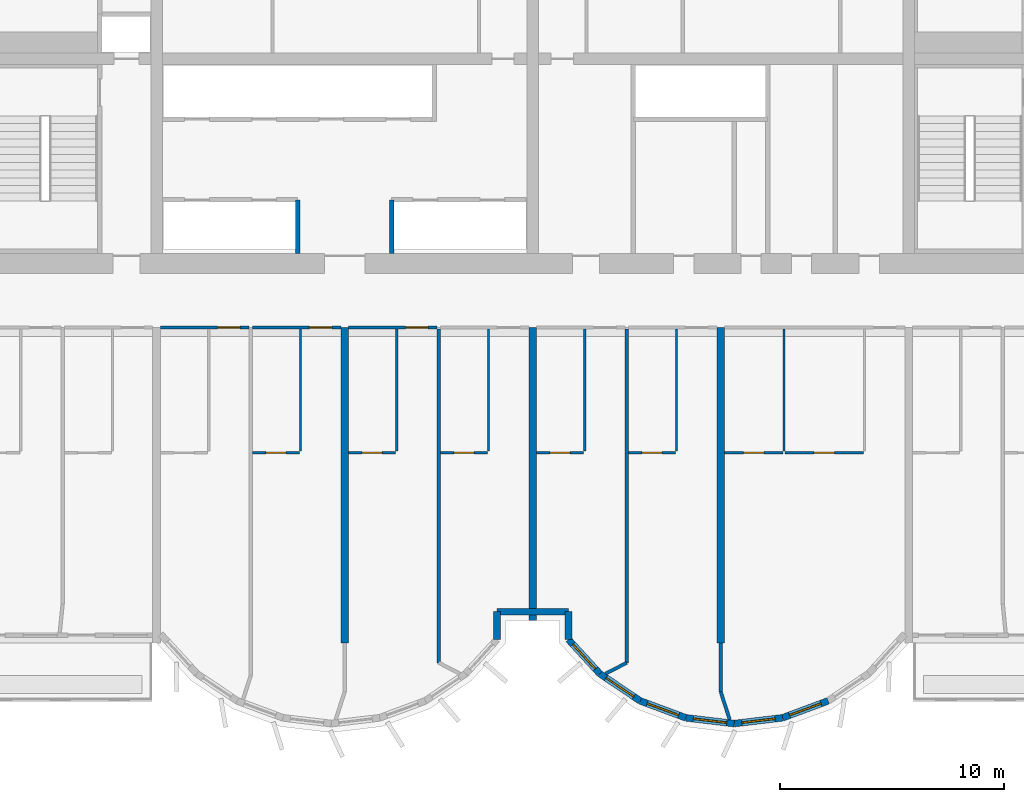
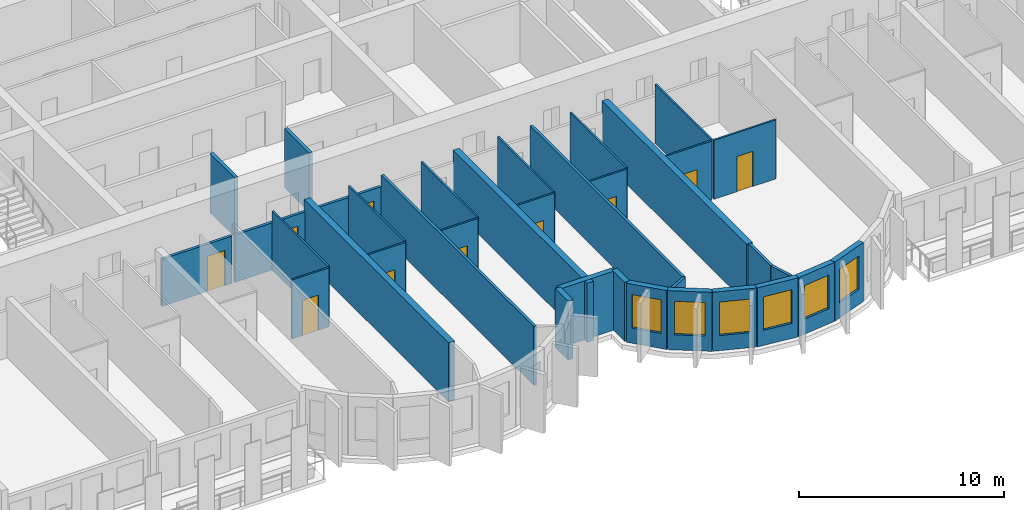
# One storey, part 5 of 15: 35 walls, 10 doors, 6 windows, 16 openings.
"""IFC4 building model written with IfcOpenShell, lengths in metres."""

import ifcopenshell
import ifcopenshell.guid

model = None  # the IFC model being written
_history = None  # IfcOwnerHistory: only IFC2X3 demands one
_inside = {}  # id of a spatial element -> (the spatial element, [elements in it])
_under = {}  # id of a project, library or spatial element -> (it, [spatial elements below it])
_declared = {}  # id of a project -> (the project, [libraries it declares])
_typed = {}  # id of a type object -> (the type object, [elements of that type])
_made_of = {}  # id of a material, layer set ... -> (it, [elements and type objects made of it])


def new_model(schema):
    """Start an empty IFC model of exactly this schema.

    Asked for "IFC4X3", IfcOpenShell would pick the latest addendum, in which some entities
    have other attributes; the version numbers below select the first issue.
    IFC2X3 requires an IfcOwnerHistory on every rooted entity: one is made here for all.
    """
    global model, _history
    if schema == "IFC4X3":
        model = ifcopenshell.file(schema_version=(4, 3, 0, 0))
    else:
        model = ifcopenshell.file(schema=schema)
    _inside.clear()
    _under.clear()
    _declared.clear()
    _typed.clear()
    _made_of.clear()
    _history = None
    if model.schema == "IFC2X3":
        org = make("IfcOrganization", Name="unknown")
        user = make(
            "IfcPersonAndOrganization",
            ThePerson=make("IfcPerson", FamilyName="unknown"),
            TheOrganization=org,
        )
        app = make(
            "IfcApplication",
            ApplicationDeveloper=org,
            Version="unknown",
            ApplicationFullName="unknown",
            ApplicationIdentifier="unknown",
        )
        _history = make(
            "IfcOwnerHistory",
            OwningUser=user,
            OwningApplication=app,
            ChangeAction="ADDED",
            CreationDate=0,
        )
    return model


def make(cls, **values):
    """One entity of the class cls with the attributes given. An attribute that is None is left unset."""
    return model.create_entity(
        cls, **{name: value for name, value in values.items() if value is not None}
    )


def rooted(cls, **values):
    """An entity with a GlobalId (a new one), such as an element, a storey or a relation."""
    return make(cls, GlobalId=ifcopenshell.guid.new(), OwnerHistory=_history, **values)


def si_unit(unit_type, name, prefix=None):
    """IfcSIUnit, for example si_unit("LENGTHUNIT", "METRE", prefix="MILLI")."""
    return make("IfcSIUnit", UnitType=unit_type, Prefix=prefix, Name=name)


def assignment(units):
    """IfcUnitAssignment: the units of a project."""
    return None if units is None else make("IfcUnitAssignment", Units=units)


def point(xyz):
    """IfcCartesianPoint."""
    return None if xyz is None else make("IfcCartesianPoint", Coordinates=xyz)


def direction(xyz):
    """IfcDirection."""
    return None if xyz is None else make("IfcDirection", DirectionRatios=xyz)


def frame(location, z_axis=None, x_axis=None):
    """IfcAxis2Placement3D, a coordinate frame: its origin and axes. An axis left out is left unset."""
    return make(
        "IfcAxis2Placement3D",
        Location=point(location),
        Axis=direction(z_axis),
        RefDirection=direction(x_axis),
    )


def frame_2d(location, x_axis=None):
    """IfcAxis2Placement2D, a coordinate frame in the plane: its origin and x axis."""
    return make(
        "IfcAxis2Placement2D", Location=point(location), RefDirection=direction(x_axis)
    )


def origin():
    """The frame at (0, 0, 0) with its axes left unset."""
    return frame((0.0, 0.0, 0.0))


def place(relative_to, where):
    """IfcLocalPlacement: puts the frame where relative to a parent placement (None: the world)."""
    return make(
        "IfcLocalPlacement", PlacementRelTo=relative_to, RelativePlacement=where
    )


def context(
    kind, dimensions, precision=None, world=None, true_north=None, identifier=None
):
    """IfcGeometricRepresentationContext, for example the 3D "Model" context."""
    return make(
        "IfcGeometricRepresentationContext",
        ContextIdentifier=identifier,
        ContextType=kind,
        CoordinateSpaceDimension=dimensions,
        Precision=precision,
        WorldCoordinateSystem=world,
        TrueNorth=true_north,
    )


def subcontext(parent, identifier, kind, view, scale=None):
    """IfcGeometricRepresentationSubContext, for example "Body" below "Model"."""
    return make(
        "IfcGeometricRepresentationSubContext",
        ContextIdentifier=identifier,
        ContextType=kind,
        ParentContext=parent,
        TargetScale=scale,
        TargetView=view,
    )


def project(units=None, contexts=None):
    """IfcProject with its units and contexts."""
    return rooted(
        "IfcProject",
        Name="project",
        RepresentationContexts=contexts,
        UnitsInContext=assignment(units),
    )


def spatial(cls, under=None, at=None, **own):
    """A site, building, storey or space (cls), placed at a placement, below another one or the project."""
    s = rooted(cls, ObjectPlacement=at, **own)
    if under is not None:
        _under.setdefault(under.id(), (under, []))[1].append(s)
    return s


def profile(cls, at=None, kind="AREA", **sizes):
    """A parametric profile (cls). Its sizes go by their IFC names, for example OverallWidth=200.0."""
    return make(cls, ProfileType=kind, Position=at, **sizes)


def rectangle(**sizes):
    """IfcRectangleProfileDef."""
    return profile("IfcRectangleProfileDef", **sizes)


def extrude(swept, where, along, depth):
    """IfcExtrudedAreaSolid: the profile swept, set in the frame where, extruded along a direction by depth."""
    return make(
        "IfcExtrudedAreaSolid",
        SweptArea=swept,
        Position=where,
        ExtrudedDirection=direction(along),
        Depth=depth,
    )


def shape(context_of_items, identifier, shape_type, items):
    """IfcShapeRepresentation: the items that make up one representation, for example the "Body"."""
    return make(
        "IfcShapeRepresentation",
        ContextOfItems=context_of_items,
        RepresentationIdentifier=identifier,
        RepresentationType=shape_type,
        Items=items,
    )


def source(mapping_origin, context_of_items, identifier, shape_type, items):
    """IfcRepresentationMap: a shape defined once, which mapped items show again and again."""
    return make(
        "IfcRepresentationMap",
        MappingOrigin=mapping_origin,
        MappedRepresentation=shape(context_of_items, identifier, shape_type, items),
    )


def transform(
    local_origin,
    x_axis=None,
    y_axis=None,
    z_axis=None,
    scale=None,
    scale2=None,
    scale3=None,
    uniform=True,
):
    """IfcCartesianTransformationOperator3D, or its non-uniform kind. x_axis, y_axis, z_axis: its Axis1, 2, 3."""
    if uniform:
        return make(
            "IfcCartesianTransformationOperator3D",
            Axis1=direction(x_axis),
            Axis2=direction(y_axis),
            LocalOrigin=point(local_origin),
            Scale=scale,
            Axis3=direction(z_axis),
        )
    return make(
        "IfcCartesianTransformationOperator3DnonUniform",
        Axis1=direction(x_axis),
        Axis2=direction(y_axis),
        LocalOrigin=point(local_origin),
        Scale=scale,
        Axis3=direction(z_axis),
        Scale2=scale2,
        Scale3=scale3,
    )


def mapped(mapping_source, mapping_target):
    """IfcMappedItem: shows the shape of a source again, moved by a transform."""
    return make(
        "IfcMappedItem", MappingSource=mapping_source, MappingTarget=mapping_target
    )


def material(Name=None, Category=None):
    """IfcMaterial."""
    return make("IfcMaterial", Name=Name, Category=Category)


def layer(
    of_material, thickness, ventilated=None, Name=None, Category=None, Priority=None
):
    """IfcMaterialLayer: one layer of a wall or slab, of a material (None: an air gap)."""
    return make(
        "IfcMaterialLayer",
        Material=of_material,
        LayerThickness=thickness,
        IsVentilated=ventilated,
        Name=Name,
        Category=Category,
        Priority=Priority,
    )


def layer_set(layers, Name=None):
    """IfcMaterialLayerSet."""
    return make("IfcMaterialLayerSet", MaterialLayers=layers, LayerSetName=Name)


def made_of(thing, what):
    """Note that an element or type object is made of a material, layer set ...; save() writes the relation."""
    if what is not None:
        _made_of.setdefault(what.id(), (what, []))[1].append(thing)
    return thing


def type_object(cls, material=None, **own):
    """A type object (cls), such as IfcWallType, which elements share."""
    return made_of(rooted(cls, **own), material)


def element(
    cls,
    number,
    at=None,
    inside=None,
    cuts=None,
    type_object=None,
    material=None,
    context=None,
    identifier="Body",
    shape_type=None,
    held_by="IfcProductDefinitionShape",
    body=None,
    shapes=None,
    **own,
):
    """One element of the class cls, such as IfcWall. Its Tag is "e" and its number.

    at: its placement. inside: the storey or other place that contains it. cuts: it is an
    opening in that element (IfcRelVoidsElement). A single representation is given by context,
    identifier, shape_type and body (its items); several are given by shapes. held_by: the class
    of the entity that holds the representations. save() writes the other relations.
    """
    e = rooted(cls, Tag="e%d" % number, ObjectPlacement=at, **own)
    if body is not None:
        shapes = [shape(context, identifier, shape_type, body)]
    if shapes is not None:
        e.Representation = make(held_by, Representations=shapes)
    if inside is not None:
        _inside.setdefault(inside.id(), (inside, []))[1].append(e)
    if cuts is not None:
        rooted(
            "IfcRelVoidsElement", RelatingBuildingElement=cuts, RelatedOpeningElement=e
        )
    if type_object is not None:
        _typed.setdefault(type_object.id(), (type_object, []))[1].append(e)
    return made_of(e, material)


def fill(opening, filler):
    """IfcRelFillsElement: the door or window that sits in an opening."""
    return rooted(
        "IfcRelFillsElement",
        RelatingOpeningElement=opening,
        RelatedBuildingElement=filler,
    )


def aggregate(whole, parts):
    """IfcRelAggregates: a whole, such as a stair, and the parts it consists of."""
    return rooted("IfcRelAggregates", RelatingObject=whole, RelatedObjects=parts)


def save(model, path):
    """Write the relations noted so far, then the file.

    IfcRelAggregates (storeys below a building ...), IfcRelContainedInSpatialStructure (elements
    in a storey), IfcRelDefinesByType, IfcRelAssociatesMaterial and IfcRelDeclares: one each for
    every whole, place, type object, material and project.
    """
    for whole, parts in _under.values():
        aggregate(whole, parts)
    for where, things in _inside.values():
        rooted(
            "IfcRelContainedInSpatialStructure",
            RelatedElements=things,
            RelatingStructure=where,
        )
    for kind, things in _typed.values():
        rooted("IfcRelDefinesByType", RelatedObjects=things, RelatingType=kind)
    for what, things in _made_of.values():
        rooted("IfcRelAssociatesMaterial", RelatedObjects=things, RelatingMaterial=what)
    for by, libraries in _declared.values():
        rooted("IfcRelDeclares", RelatingContext=by, RelatedDefinitions=libraries)
    model.write(path)


model = new_model("IFC4")

# Units and contexts
model_context = context("Model", 3, precision=1e-05, world=origin(), true_north=direction((0.0, 1.0)))
body_context = subcontext(model_context, "Body", "Model", "MODEL_VIEW")
ifc_project = project(units=[si_unit("LENGTHUNIT", "METRE"), si_unit("AREAUNIT", "SQUARE_METRE"), si_unit("VOLUMEUNIT", "CUBIC_METRE"), si_unit("PLANEANGLEUNIT", "RADIAN"), si_unit("MASSUNIT", "GRAM", prefix="KILO")], contexts=[model_context])

# Site, building, storey
site_placement = place(None, origin())
site = spatial("IfcSite", under=ifc_project, at=site_placement, CompositionType="ELEMENT")
building_placement = place(site_placement, origin())
building = spatial("IfcBuilding", under=site, at=building_placement, Name="Vanashikhar Sky Hotel", CompositionType="ELEMENT")
storey_placement = place(building_placement, frame((0.0, 0.0, 95.199951171875)))
storey = spatial("IfcBuildingStorey", under=building, at=storey_placement, Name="L22", CompositionType="ELEMENT", Elevation=95.199951171875)

# Walls
ifc_material_1 = material(Name="Concrete M70", Category="concrete")
ifc_layer_1 = layer(ifc_material_1, 0.35009765625)
ifc_layer_set_1 = layer_set([ifc_layer_1], Name="RC shear wall 350 Concrete M70")
wall_type_1 = type_object("IfcWallType", Name="RC shear wall 350 Concrete M70", PredefinedType="SHEAR", material=ifc_layer_set_1)
shared_shape_1 = source(origin(), body_context, "Body", "SweptSolid", [
    extrude(rectangle(XDim=14.10009765625, YDim=0.35009765625, at=frame_2d((7.050048828125, 0.0))), origin(), (0.0, 0.0, 1.0), 3.52001953125),
])
for number, where, z_axis, x_axis, name in (
    (1, (42.0, 5.5, 0.0), (0.0, 0.0, 1.0), (0.0, 1.0, 0.0), "CW-L22-XW06-1"),
    (2, (58.800048828125, 5.5, 0.0), (0.0, 0.0, 1.0), (0.0, 1.0, 0.0), "CW-L22-XW08-1"),
):
    element("IfcWall", number, at=place(storey_placement, frame(where, z_axis=z_axis, x_axis=x_axis)), inside=storey, type_object=wall_type_1, Name=name, PredefinedType="SHEAR", context=body_context, shape_type="MappedRepresentation", body=[
        mapped(shared_shape_1, transform((0.0, 0.0, 0.0), scale=1.0)),
    ])
shared_shape_2 = source(origin(), body_context, "Body", "SweptSolid", [
    extrude(rectangle(XDim=13.10009765625, YDim=0.35009765625, at=frame_2d((6.550048828125, 0.0))), origin(), (0.0, 0.0, 1.0), 3.52001953125),
])
wall_1_placement = place(storey_placement, frame((50.39990234375, 6.5, 0.0), z_axis=(0.0, 0.0, 1.0), x_axis=(0.0, 1.0, 0.0)))
element("IfcWall", 3, at=wall_1_placement, inside=storey, type_object=wall_type_1, Name="CW-L22-XW07-1", PredefinedType="SHEAR", context=body_context, shape_type="MappedRepresentation", body=[
    mapped(shared_shape_2, transform((0.0, 0.0, 0.0), scale=1.0)),
])

# Wall, opening, window
ifc_material_2 = material(Name="Concrete M50", Category="concrete")
ifc_layer_2 = layer(ifc_material_2, 0.300048828125)
ifc_layer_set_2 = layer_set([ifc_layer_2], Name="Lobe wall 300")
wall_type_2 = type_object("IfcWallType", Name="Lobe wall 300", PredefinedType="SOLIDWALL", material=ifc_layer_set_2)
shared_shape_3 = source(origin(), body_context, "Body", "SweptSolid", [
    extrude(rectangle(XDim=2.17578125, YDim=0.300048828125, at=frame_2d((1.087890625, 0.0))), origin(), (0.0, 0.0, 1.0), 3.52001953125),
])
wall_2_placement = place(storey_placement, frame((53.395751953125, 4.13134765625, 0.0), z_axis=(0.0, 0.0, 1.0), x_axis=(0.829590746428, -0.558371913192, 0.0)))
wall_2 = element("IfcWall", 4, at=wall_2_placement, inside=storey, type_object=wall_type_2, Name="Lobe wall", PredefinedType="SOLIDWALL", context=body_context, shape_type="MappedRepresentation", body=[
    mapped(shared_shape_3, transform((0.0, 0.0, 0.0), scale=1.0)),
])
shared_shape_4 = source(origin(), body_context, "Body", "SweptSolid", [
    extrude(rectangle(XDim=1.5, YDim=2.0, at=frame_2d((0.75, 1.0))), frame((0.0, 0.16015625, 0.0), z_axis=(0.0, -1.0, 0.0), x_axis=(1.0, 0.0, 0.0)), (0.0, 0.0, 1.0), 0.320068359375),
])
opening_1_placement = place(wall_2_placement, frame((0.337890625, 0.0, 0.89990234375)))
opening_1 = element("IfcOpeningElement", 5, at=opening_1_placement, cuts=wall_2, Name="Opening WN-2", PredefinedType="OPENING", context=body_context, shape_type="MappedRepresentation", body=[
    mapped(shared_shape_4, transform((0.0, 0.0, 0.0), scale=1.0)),
])
ifc_material_3 = material(Name="Glass", Category="glass")
window_type = type_object("IfcWindowType", Name="Lobe window 1500 x 2000", PartitioningType="SINGLE_PANEL", PredefinedType="WINDOW", material=ifc_material_3)
shared_shape_5 = source(origin(), body_context, "Body", "SweptSolid", [
    extrude(rectangle(XDim=1.5, YDim=2.0, at=frame_2d((0.75, 1.0))), frame((0.0, 0.030029296875, 0.0), z_axis=(0.0, -1.0, 0.0), x_axis=(1.0, 0.0, 0.0)), (0.0, 0.0, 1.0), 0.06005859375),
])
window_1_placement = place(opening_1_placement, origin())
window_1 = element("IfcWindow", 6, at=window_1_placement, inside=storey, type_object=window_type, Name="Window WN-2", OverallHeight=2.0, OverallWidth=1.5, PartitioningType="SINGLE_PANEL", PredefinedType="WINDOW", context=body_context, shape_type="MappedRepresentation", body=[
    mapped(shared_shape_5, transform((0.0, 0.0, 0.0), scale=1.0)),
])
fill(opening_1, window_1)

wall_3_placement = place(storey_placement, frame((55.20068359375, 2.91650390625, 0.0), z_axis=(0.0, 0.0, 1.0), x_axis=(0.93754555999, -0.347862505801, 0.0)))
wall_3 = element("IfcWall", 7, at=wall_3_placement, inside=storey, type_object=wall_type_2, Name="Lobe wall", PredefinedType="SOLIDWALL", context=body_context, shape_type="MappedRepresentation", body=[
    mapped(shared_shape_3, transform((0.0, 0.0, 0.0), scale=1.0)),
])
opening_2_placement = place(wall_3_placement, frame((0.337890625, 0.0, 0.89990234375)))
opening_2 = element("IfcOpeningElement", 8, at=opening_2_placement, cuts=wall_3, Name="Opening WN-2", PredefinedType="OPENING", context=body_context, shape_type="MappedRepresentation", body=[
    mapped(shared_shape_4, transform((0.0, 0.0, 0.0), scale=1.0)),
])
window_2_placement = place(opening_2_placement, origin())
window_2 = element("IfcWindow", 9, at=window_2_placement, inside=storey, type_object=window_type, Name="Window WN-2", OverallHeight=2.0, OverallWidth=1.5, PartitioningType="SINGLE_PANEL", PredefinedType="WINDOW", context=body_context, shape_type="MappedRepresentation", body=[
    mapped(shared_shape_5, transform((0.0, 0.0, 0.0), scale=1.0)),
])
fill(opening_2, window_2)

shared_shape_6 = source(origin(), body_context, "Body", "SweptSolid", [
    extrude(rectangle(XDim=2.174560546875, YDim=0.300048828125, at=frame_2d((1.08740234375, 0.0))), origin(), (0.0, 0.0, 1.0), 3.52001953125),
])
wall_4_placement = place(storey_placement, frame((57.240478515625, 2.15966796875, 0.0), z_axis=(0.0, 0.0, 1.0), x_axis=(0.993001132889, -0.118104826659, 0.0)))
wall_4 = element("IfcWall", 10, at=wall_4_placement, inside=storey, type_object=wall_type_2, Name="Lobe wall", PredefinedType="SOLIDWALL", context=body_context, shape_type="MappedRepresentation", body=[
    mapped(shared_shape_6, transform((0.0, 0.0, 0.0), scale=1.0)),
])
opening_3_placement = place(wall_4_placement, frame((0.33740234375, 0.0, 0.89990234375)))
opening_3 = element("IfcOpeningElement", 11, at=opening_3_placement, cuts=wall_4, Name="Opening WN-2", PredefinedType="OPENING", context=body_context, shape_type="MappedRepresentation", body=[
    mapped(shared_shape_4, transform((0.0, 0.0, 0.0), scale=1.0)),
])
window_3_placement = place(opening_3_placement, origin())
window_3 = element("IfcWindow", 12, at=window_3_placement, inside=storey, type_object=window_type, Name="Window WN-2", OverallHeight=2.0, OverallWidth=1.5, PartitioningType="SINGLE_PANEL", PredefinedType="WINDOW", context=body_context, shape_type="MappedRepresentation", body=[
    mapped(shared_shape_5, transform((0.0, 0.0, 0.0), scale=1.0)),
])
fill(opening_3, window_3)

shared_shape_7 = source(origin(), body_context, "Body", "SweptSolid", [
    extrude(rectangle(XDim=2.1748046875, YDim=0.300048828125, at=frame_2d((1.08740234375, 0.0))), origin(), (0.0, 0.0, 1.0), 3.52001953125),
])
wall_5_placement = place(storey_placement, frame((59.39990234375, 1.90283203125, 0.0), z_axis=(0.0, 0.0, 1.0), x_axis=(0.993002698611, 0.118091661648, 0.0)))
wall_5 = element("IfcWall", 13, at=wall_5_placement, inside=storey, type_object=wall_type_2, Name="Lobe wall", PredefinedType="SOLIDWALL", context=body_context, shape_type="MappedRepresentation", body=[
    mapped(shared_shape_7, transform((0.0, 0.0, 0.0), scale=1.0)),
])
opening_4_placement = place(wall_5_placement, frame((0.33740234375, 0.0, 0.89990234375)))
opening_4 = element("IfcOpeningElement", 14, at=opening_4_placement, cuts=wall_5, Name="Opening WN-2", PredefinedType="OPENING", context=body_context, shape_type="MappedRepresentation", body=[
    mapped(shared_shape_4, transform((0.0, 0.0, 0.0), scale=1.0)),
])
window_4_placement = place(opening_4_placement, origin())
window_4 = element("IfcWindow", 15, at=window_4_placement, inside=storey, type_object=window_type, Name="Window WN-2", OverallHeight=2.0, OverallWidth=1.5, PartitioningType="SINGLE_PANEL", PredefinedType="WINDOW", context=body_context, shape_type="MappedRepresentation", body=[
    mapped(shared_shape_5, transform((0.0, 0.0, 0.0), scale=1.0)),
])
fill(opening_4, window_4)

shared_shape_8 = source(origin(), body_context, "Body", "SweptSolid", [
    extrude(rectangle(XDim=2.175537109375, YDim=0.300048828125, at=frame_2d((1.087890625, 0.0))), origin(), (0.0, 0.0, 1.0), 3.52001953125),
])
wall_6_placement = place(storey_placement, frame((61.5595703125, 2.15966796875, 0.0), z_axis=(0.0, 0.0, 1.0), x_axis=(0.937531979054, 0.347899106424, 0.0)))
wall_6 = element("IfcWall", 16, at=wall_6_placement, inside=storey, type_object=wall_type_2, Name="Lobe wall", PredefinedType="SOLIDWALL", context=body_context, shape_type="MappedRepresentation", body=[
    mapped(shared_shape_8, transform((0.0, 0.0, 0.0), scale=1.0)),
])
opening_5_placement = place(wall_6_placement, frame((0.337890625, 0.0, 0.89990234375)))
opening_5 = element("IfcOpeningElement", 17, at=opening_5_placement, cuts=wall_6, Name="Opening WN-2", PredefinedType="OPENING", context=body_context, shape_type="MappedRepresentation", body=[
    mapped(shared_shape_4, transform((0.0, 0.0, 0.0), scale=1.0)),
])
window_5_placement = place(opening_5_placement, origin())
window_5 = element("IfcWindow", 18, at=window_5_placement, inside=storey, type_object=window_type, Name="Window WN-2", OverallHeight=2.0, OverallWidth=1.5, PartitioningType="SINGLE_PANEL", PredefinedType="WINDOW", context=body_context, shape_type="MappedRepresentation", body=[
    mapped(shared_shape_5, transform((0.0, 0.0, 0.0), scale=1.0)),
])
fill(opening_5, window_5)

shared_shape_9 = source(origin(), body_context, "Body", "SweptSolid", [
    extrude(rectangle(XDim=2.066650390625, YDim=0.300048828125, at=frame_2d((1.033203125, 0.0))), origin(), (0.0, 0.0, 1.0), 3.52001953125),
])
wall_7_placement = place(storey_placement, frame((52.0, 5.655517578125, 0.0), z_axis=(0.0, 0.0, 1.0), x_axis=(0.675355439877, -0.737492393065, 0.0)))
wall_7 = element("IfcWall", 19, at=wall_7_placement, inside=storey, type_object=wall_type_2, Name="Lobe wall", PredefinedType="SOLIDWALL", context=body_context, shape_type="MappedRepresentation", body=[
    mapped(shared_shape_9, transform((0.0, 0.0, 0.0), scale=1.0)),
])
opening_6_placement = place(wall_7_placement, frame((0.283447265625, 0.0, 0.89990234375)))
opening_6 = element("IfcOpeningElement", 20, at=opening_6_placement, cuts=wall_7, Name="Opening WN-2", PredefinedType="OPENING", context=body_context, shape_type="MappedRepresentation", body=[
    mapped(shared_shape_4, transform((0.0, 0.0, 0.0), scale=1.0)),
])
window_6_placement = place(opening_6_placement, origin())
window_6 = element("IfcWindow", 21, at=window_6_placement, inside=storey, type_object=window_type, Name="Window WN-2", OverallHeight=2.0, OverallWidth=1.5, PartitioningType="SINGLE_PANEL", PredefinedType="WINDOW", context=body_context, shape_type="MappedRepresentation", body=[
    mapped(shared_shape_5, transform((0.0, 0.0, 0.0), scale=1.0)),
])
fill(opening_6, window_6)

# Walls
shared_shape_10 = source(origin(), body_context, "Body", "SweptSolid", [
    extrude(rectangle(XDim=1.244384765625, YDim=0.300048828125, at=frame_2d((0.6220703125, 0.0))), origin(), (0.0, 0.0, 1.0), 3.52001953125),
])
for number, where, z_axis, x_axis, name in (
    (22, (48.800048828125, 5.655517578125, 0.0), (0.0, 0.0, 1.0), (0.0, 1.0, 0.0), "Groove wall"),
    (23, (52.0, 6.89990234375, 0.0), (0.0, 0.0, 1.0), (0.0, -1.0, 0.0), "Groove wall"),
):
    element("IfcWall", number, at=place(storey_placement, frame(where, z_axis=z_axis, x_axis=x_axis)), inside=storey, type_object=wall_type_2, Name=name, PredefinedType="SOLIDWALL", context=body_context, shape_type="MappedRepresentation", body=[
        mapped(shared_shape_10, transform((0.0, 0.0, 0.0), scale=1.0)),
    ])
shared_shape_11 = source(origin(), body_context, "Body", "SweptSolid", [
    extrude(rectangle(XDim=3.199951171875, YDim=0.300048828125, at=frame_2d((1.60009765625, 0.0))), origin(), (0.0, 0.0, 1.0), 3.52001953125),
])
wall_8_placement = place(storey_placement, frame((48.800048828125, 6.89990234375, 0.0), z_axis=(0.0, 0.0, 1.0), x_axis=(1.0, 0.0, 0.0)))
element("IfcWall", 24, at=wall_8_placement, inside=storey, type_object=wall_type_2, Name="Groove wall", PredefinedType="SOLIDWALL", context=body_context, shape_type="MappedRepresentation", body=[
    mapped(shared_shape_11, transform((0.0, 0.0, 0.0), scale=1.0)),
])
ifc_material_4 = material(Name="Concrete M40", Category="concrete")
ifc_layer_3 = layer(ifc_material_4, 0.199951171875)
ifc_layer_set_3 = layer_set([ifc_layer_3], Name="Shaft wall 200")
wall_type_3 = type_object("IfcWallType", Name="Shaft wall 200", PredefinedType="SOLIDWALL", material=ifc_layer_set_3)
shared_shape_12 = source(origin(), body_context, "Body", "SweptSolid", [
    extrude(rectangle(XDim=2.400146484375, YDim=0.199951171875, at=frame_2d((1.2001953125, 0.0))), origin(), (0.0, 0.0, 1.0), 3.52001953125),
])
for number, where, z_axis, x_axis, name in (
    (25, (39.89990234375, 22.89990234375, 0.0), (0.0, 0.0, 1.0), (0.0, 1.0, 0.0), "Shaft wall 200"),
    (26, (44.10009765625, 22.89990234375, 0.0), (0.0, 0.0, 1.0), (0.0, 1.0, 0.0), "Shaft wall 200"),
):
    element("IfcWall", number, at=place(storey_placement, frame(where, z_axis=z_axis, x_axis=x_axis)), inside=storey, type_object=wall_type_3, Name=name, PredefinedType="SOLIDWALL", context=body_context, shape_type="MappedRepresentation", body=[
        mapped(shared_shape_12, transform((0.0, 0.0, 0.0), scale=1.0)),
    ])
ifc_material_5 = material(Name="Gypsum plasterboard partition")
ifc_layer_4 = layer(ifc_material_5, 0.14990234375)
ifc_layer_set_4 = layer_set([ifc_layer_4], Name="Corridor and demising partition 150")
wall_type_4 = type_object("IfcWallType", Name="Corridor and demising partition 150", PredefinedType="PARTITIONING", material=ifc_layer_set_4)
shared_shape_13 = source(origin(), body_context, "Body", "SweptSolid", [
    extrude(rectangle(XDim=2.177978515625, YDim=0.14990234375, at=frame_2d((1.0888671875, 0.0))), origin(), (0.0, 0.0, 1.0), 3.52001953125),
])
wall_9_placement = place(storey_placement, frame((58.800048828125, 3.322021484375, 0.0), z_axis=(0.0, 0.0, 1.0), x_axis=(0.0, 1.0, 0.0)))
element("IfcWall", 27, at=wall_9_placement, inside=storey, type_object=wall_type_4, Name="W-L22-PW072", PredefinedType="PARTITIONING", context=body_context, shape_type="MappedRepresentation", body=[
    mapped(shared_shape_13, transform((0.0, 0.0, 0.0), scale=1.0)),
])

# Wall, opening, door
ifc_layer_5 = layer(ifc_material_5, 0.10009765625)
ifc_layer_set_5 = layer_set([ifc_layer_5], Name="Wet room partition 100")
wall_type_5 = type_object("IfcWallType", Name="Wet room partition 100", PredefinedType="PARTITIONING", material=ifc_layer_set_5)
shared_shape_14 = source(origin(), body_context, "Body", "SweptSolid", [
    extrude(rectangle(XDim=3.5, YDim=0.10009765625, at=frame_2d((1.75, 0.0))), origin(), (0.0, 0.0, 1.0), 3.52001953125),
])
wall_10_placement = place(storey_placement, frame((61.675048828125, 14.0, 0.0), z_axis=(0.0, 0.0, 1.0), x_axis=(1.0, 0.0, 0.0)))
wall_10 = element("IfcWall", 28, at=wall_10_placement, inside=storey, type_object=wall_type_5, Name="W-L22-PW044", PredefinedType="PARTITIONING", context=body_context, shape_type="MappedRepresentation", body=[
    mapped(shared_shape_14, transform((0.0, 0.0, 0.0), scale=1.0)),
])
shared_shape_15 = source(origin(), body_context, "Body", "SweptSolid", [
    extrude(rectangle(XDim=0.89990234375, YDim=2.10009765625, at=frame_2d((0.449951171875, 1.050048828125))), frame((0.0, 0.06005859375, 0.0), z_axis=(0.0, -1.0, 0.0), x_axis=(1.0, 0.0, 0.0)), (0.0, 0.0, 1.0), 0.1201171875),
])
opening_7_placement = place(wall_10_placement, frame((1.300048828125, 0.0, 0.0)))
opening_7 = element("IfcOpeningElement", 29, at=opening_7_placement, cuts=wall_10, Name="Opening D-02", PredefinedType="OPENING", context=body_context, shape_type="MappedRepresentation", body=[
    mapped(shared_shape_15, transform((0.0, 0.0, 0.0), scale=1.0)),
])
ifc_material_6 = material(Name="Timber door", Category="wood")
door_type_1 = type_object("IfcDoorType", Name="Internal door 900", OperationType="NOTDEFINED", PredefinedType="DOOR", material=ifc_material_6)
shared_shape_16 = source(origin(), body_context, "Body", "SweptSolid", [
    extrude(rectangle(XDim=0.89990234375, YDim=2.10009765625, at=frame_2d((0.449951171875, 1.050048828125))), frame((0.0, 0.02490234375, 0.0), z_axis=(0.0, -1.0, 0.0), x_axis=(1.0, 0.0, 0.0)), (0.0, 0.0, 1.0), 0.050048828125),
])
door_1_placement = place(opening_7_placement, origin())
door_1 = element("IfcDoor", 30, at=door_1_placement, inside=storey, type_object=door_type_1, Name="D-L22-025", OperationType="SINGLE_SWING_RIGHT", OverallHeight=2.10009765625, OverallWidth=0.89990234375, PredefinedType="DOOR", context=body_context, shape_type="MappedRepresentation", body=[
    mapped(shared_shape_16, transform((0.0, 0.0, 0.0), scale=1.0)),
])
fill(opening_7, door_1)

# Walls
shared_shape_17 = source(origin(), body_context, "Body", "SweptSolid", [
    extrude(rectangle(XDim=1.057861328125, YDim=0.14990234375, at=frame_2d((0.52880859375, 0.0))), origin(), (0.0, 0.0, 1.0), 3.52001953125),
])
wall_11_placement = place(storey_placement, frame((53.659912109375, 4.134033203125, 0.0), z_axis=(0.0, 0.0, 1.0), x_axis=(0.888772319209, 0.458348955063, 0.0)))
element("IfcWall", 31, at=wall_11_placement, inside=storey, type_object=wall_type_4, Name="W-L22-PW041B0", PredefinedType="PARTITIONING", context=body_context, shape_type="MappedRepresentation", body=[
    mapped(shared_shape_17, transform((0.0, 0.0, 0.0), scale=1.0)),
])
shared_shape_18 = source(origin(), body_context, "Body", "SweptSolid", [
    extrude(rectangle(XDim=1.308349609375, YDim=0.14990234375, at=frame_2d((0.654296875, 0.0))), origin(), (0.0, 0.0, 1.0), 3.52001953125),
])
wall_12_placement = place(storey_placement, frame((59.201904296875, 2.076904296875, 0.0), z_axis=(0.0, 0.0, 1.0), x_axis=(-0.307144529633, 0.951662880392, 0.0)))
element("IfcWall", 32, at=wall_12_placement, inside=storey, type_object=wall_type_4, Name="W-L22-PW072B0", PredefinedType="PARTITIONING", context=body_context, shape_type="MappedRepresentation", body=[
    mapped(shared_shape_18, transform((0.0, 0.0, 0.0), scale=1.0)),
])
shared_shape_19 = source(origin(), body_context, "Body", "SweptSolid", [
    extrude(rectangle(XDim=5.449951171875, YDim=0.10009765625, at=frame_2d((2.72509765625, 0.0))), origin(), (0.0, 0.0, 1.0), 3.52001953125),
])
for number, where, z_axis, x_axis, name in (
    (33, (40.02490234375, 14.074951171875, 0.0), (0.0, 0.0, 1.0), (0.0, 1.0, 0.0), "W-L22-PW024"),
    (34, (44.324951171875, 14.074951171875, 0.0), (0.0, 0.0, 1.0), (0.0, 1.0, 0.0), "W-L22-PW028"),
    (35, (48.425048828125, 14.074951171875, 0.0), (0.0, 0.0, 1.0), (0.0, 1.0, 0.0), "W-L22-PW031"),
    (36, (52.72509765625, 14.074951171875, 0.0), (0.0, 0.0, 1.0), (0.0, 1.0, 0.0), "W-L22-PW035"),
    (37, (56.824951171875, 14.074951171875, 0.0), (0.0, 0.0, 1.0), (0.0, 1.0, 0.0), "W-L22-PW038"),
    (38, (61.625, 14.074951171875, 0.0), (0.0, 0.0, 1.0), (0.0, 1.0, 0.0), "W-L22-PW043"),
):
    element("IfcWall", number, at=place(storey_placement, frame(where, z_axis=z_axis, x_axis=x_axis)), inside=storey, type_object=wall_type_5, Name=name, PredefinedType="PARTITIONING", context=body_context, shape_type="MappedRepresentation", body=[
        mapped(shared_shape_19, transform((0.0, 0.0, 0.0), scale=1.0)),
    ])

# Wall, opening, door
shared_shape_20 = source(origin(), body_context, "Body", "SweptSolid", [
    extrude(rectangle(XDim=2.10009765625, YDim=0.10009765625, at=frame_2d((1.050048828125, 0.0))), origin(), (0.0, 0.0, 1.0), 3.52001953125),
])
wall_13_placement = place(storey_placement, frame((37.875, 14.0, 0.0), z_axis=(0.0, 0.0, 1.0), x_axis=(1.0, 0.0, 0.0)))
wall_13 = element("IfcWall", 39, at=wall_13_placement, inside=storey, type_object=wall_type_5, Name="W-L22-PW025", PredefinedType="PARTITIONING", context=body_context, shape_type="MappedRepresentation", body=[
    mapped(shared_shape_20, transform((0.0, 0.0, 0.0), scale=1.0)),
])
opening_8_placement = place(wall_13_placement, frame((0.60009765625, 0.0, 0.0)))
opening_8 = element("IfcOpeningElement", 40, at=opening_8_placement, cuts=wall_13, Name="Opening D-02", PredefinedType="OPENING", context=body_context, shape_type="MappedRepresentation", body=[
    mapped(shared_shape_15, transform((0.0, 0.0, 0.0), scale=1.0)),
])
door_2_placement = place(opening_8_placement, origin())
door_2 = element("IfcDoor", 41, at=door_2_placement, inside=storey, type_object=door_type_1, Name="D-L22-015", OperationType="SINGLE_SWING_RIGHT", OverallHeight=2.10009765625, OverallWidth=0.89990234375, PredefinedType="DOOR", context=body_context, shape_type="MappedRepresentation", body=[
    mapped(shared_shape_16, transform((0.0, 0.0, 0.0), scale=1.0)),
])
fill(opening_8, door_2)

wall_14_placement = place(storey_placement, frame((46.27490234375, 14.0, 0.0), z_axis=(0.0, 0.0, 1.0), x_axis=(1.0, 0.0, 0.0)))
wall_14 = element("IfcWall", 42, at=wall_14_placement, inside=storey, type_object=wall_type_5, Name="W-L22-PW032", PredefinedType="PARTITIONING", context=body_context, shape_type="MappedRepresentation", body=[
    mapped(shared_shape_20, transform((0.0, 0.0, 0.0), scale=1.0)),
])
opening_9_placement = place(wall_14_placement, frame((0.60009765625, 0.0, 0.0)))
opening_9 = element("IfcOpeningElement", 43, at=opening_9_placement, cuts=wall_14, Name="Opening D-02", PredefinedType="OPENING", context=body_context, shape_type="MappedRepresentation", body=[
    mapped(shared_shape_15, transform((0.0, 0.0, 0.0), scale=1.0)),
])
door_3_placement = place(opening_9_placement, origin())
door_3 = element("IfcDoor", 44, at=door_3_placement, inside=storey, type_object=door_type_1, Name="D-L22-019", OperationType="SINGLE_SWING_RIGHT", OverallHeight=2.10009765625, OverallWidth=0.89990234375, PredefinedType="DOOR", context=body_context, shape_type="MappedRepresentation", body=[
    mapped(shared_shape_16, transform((0.0, 0.0, 0.0), scale=1.0)),
])
fill(opening_9, door_3)

wall_15_placement = place(storey_placement, frame((50.574951171875, 14.0, 0.0), z_axis=(0.0, 0.0, 1.0), x_axis=(1.0, 0.0, 0.0)))
wall_15 = element("IfcWall", 45, at=wall_15_placement, inside=storey, type_object=wall_type_5, Name="W-L22-PW036", PredefinedType="PARTITIONING", context=body_context, shape_type="MappedRepresentation", body=[
    mapped(shared_shape_20, transform((0.0, 0.0, 0.0), scale=1.0)),
])
opening_10_placement = place(wall_15_placement, frame((0.60009765625, 0.0, 0.0)))
opening_10 = element("IfcOpeningElement", 46, at=opening_10_placement, cuts=wall_15, Name="Opening D-02", PredefinedType="OPENING", context=body_context, shape_type="MappedRepresentation", body=[
    mapped(shared_shape_15, transform((0.0, 0.0, 0.0), scale=1.0)),
])
door_4_placement = place(opening_10_placement, origin())
door_4 = element("IfcDoor", 47, at=door_4_placement, inside=storey, type_object=door_type_1, Name="D-L22-021", OperationType="SINGLE_SWING_RIGHT", OverallHeight=2.10009765625, OverallWidth=0.89990234375, PredefinedType="DOOR", context=body_context, shape_type="MappedRepresentation", body=[
    mapped(shared_shape_16, transform((0.0, 0.0, 0.0), scale=1.0)),
])
fill(opening_10, door_4)

shared_shape_21 = source(origin(), body_context, "Body", "SweptSolid", [
    extrude(rectangle(XDim=3.9501953125, YDim=0.14990234375, at=frame_2d((1.97509765625, 0.0))), origin(), (0.0, 0.0, 1.0), 2.820068359375),
])
wall_16_placement = place(storey_placement, frame((33.77490234375, 19.60009765625, 0.0), z_axis=(0.0, 0.0, 1.0), x_axis=(1.0, 0.0, 0.0)))
wall_16 = element("IfcWall", 48, at=wall_16_placement, inside=storey, type_object=wall_type_4, Name="W-L22-PW023", PredefinedType="PARTITIONING", context=body_context, shape_type="MappedRepresentation", body=[
    mapped(shared_shape_21, transform((0.0, 0.0, 0.0), scale=1.0)),
])
shared_shape_22 = source(origin(), body_context, "Body", "SweptSolid", [
    extrude(rectangle(XDim=1.0, YDim=2.10009765625, at=frame_2d((0.5, 1.050048828125))), frame((0.0, 0.0849609375, 0.0), z_axis=(0.0, -1.0, 0.0), x_axis=(1.0, 0.0, 0.0)), (0.0, 0.0, 1.0), 0.169921875),
])
opening_11_placement = place(wall_16_placement, frame((2.550048828125, 0.0, 0.0)))
opening_11 = element("IfcOpeningElement", 49, at=opening_11_placement, cuts=wall_16, Name="Opening D-01", PredefinedType="OPENING", context=body_context, shape_type="MappedRepresentation", body=[
    mapped(shared_shape_22, transform((0.0, 0.0, 0.0), scale=1.0)),
])
ifc_material_7 = material(Name="Timber fire door", Category="wood")
door_type_2 = type_object("IfcDoorType", Name="Guest entry door 1000 FD30S", OperationType="NOTDEFINED", PredefinedType="DOOR", material=ifc_material_7)
shared_shape_23 = source(origin(), body_context, "Body", "SweptSolid", [
    extrude(rectangle(XDim=1.0, YDim=2.10009765625, at=frame_2d((0.5, 1.050048828125))), frame((0.0, 0.02490234375, 0.0), z_axis=(0.0, -1.0, 0.0), x_axis=(1.0, 0.0, 0.0)), (0.0, 0.0, 1.0), 0.050048828125),
])
door_5_placement = place(opening_11_placement, origin())
door_5 = element("IfcDoor", 50, at=door_5_placement, inside=storey, type_object=door_type_2, Name="D-L22-014", OperationType="SINGLE_SWING_RIGHT", OverallHeight=2.10009765625, OverallWidth=1.0, PredefinedType="DOOR", context=body_context, shape_type="MappedRepresentation", body=[
    mapped(shared_shape_23, transform((0.0, 0.0, 0.0), scale=1.0)),
])
fill(opening_11, door_5)

shared_shape_24 = source(origin(), body_context, "Body", "SweptSolid", [
    extrude(rectangle(XDim=3.949951171875, YDim=0.14990234375, at=frame_2d((1.97509765625, 0.0))), origin(), (0.0, 0.0, 1.0), 2.820068359375),
])
wall_17_placement = place(storey_placement, frame((37.875, 19.60009765625, 0.0), z_axis=(0.0, 0.0, 1.0), x_axis=(1.0, 0.0, 0.0)))
wall_17 = element("IfcWall", 51, at=wall_17_placement, inside=storey, type_object=wall_type_4, Name="W-L22-PW026", PredefinedType="PARTITIONING", context=body_context, shape_type="MappedRepresentation", body=[
    mapped(shared_shape_24, transform((0.0, 0.0, 0.0), scale=1.0)),
])
opening_12_placement = place(wall_17_placement, frame((2.550048828125, 0.0, 0.0)))
opening_12 = element("IfcOpeningElement", 52, at=opening_12_placement, cuts=wall_17, Name="Opening D-01", PredefinedType="OPENING", context=body_context, shape_type="MappedRepresentation", body=[
    mapped(shared_shape_22, transform((0.0, 0.0, 0.0), scale=1.0)),
])
door_6_placement = place(opening_12_placement, origin())
door_6 = element("IfcDoor", 53, at=door_6_placement, inside=storey, type_object=door_type_2, Name="D-L22-016", OperationType="SINGLE_SWING_RIGHT", OverallHeight=2.10009765625, OverallWidth=1.0, PredefinedType="DOOR", context=body_context, shape_type="MappedRepresentation", body=[
    mapped(shared_shape_23, transform((0.0, 0.0, 0.0), scale=1.0)),
])
fill(opening_12, door_6)

wall_18_placement = place(storey_placement, frame((42.175048828125, 19.60009765625, 0.0), z_axis=(0.0, 0.0, 1.0), x_axis=(1.0, 0.0, 0.0)))
wall_18 = element("IfcWall", 54, at=wall_18_placement, inside=storey, type_object=wall_type_4, Name="W-L22-PW030", PredefinedType="PARTITIONING", context=body_context, shape_type="MappedRepresentation", body=[
    mapped(shared_shape_24, transform((0.0, 0.0, 0.0), scale=1.0)),
])
opening_13_placement = place(wall_18_placement, frame((2.550048828125, 0.0, 0.0)))
opening_13 = element("IfcOpeningElement", 55, at=opening_13_placement, cuts=wall_18, Name="Opening D-01", PredefinedType="OPENING", context=body_context, shape_type="MappedRepresentation", body=[
    mapped(shared_shape_22, transform((0.0, 0.0, 0.0), scale=1.0)),
])
door_7_placement = place(opening_13_placement, origin())
door_7 = element("IfcDoor", 56, at=door_7_placement, inside=storey, type_object=door_type_2, Name="D-L22-018", OperationType="SINGLE_SWING_RIGHT", OverallHeight=2.10009765625, OverallWidth=1.0, PredefinedType="DOOR", context=body_context, shape_type="MappedRepresentation", body=[
    mapped(shared_shape_23, transform((0.0, 0.0, 0.0), scale=1.0)),
])
fill(opening_13, door_7)

shared_shape_25 = source(origin(), body_context, "Body", "SweptSolid", [
    extrude(rectangle(XDim=2.099853515625, YDim=0.10009765625, at=frame_2d((1.0498046875, 0.0))), origin(), (0.0, 0.0, 1.0), 3.52001953125),
])
wall_19_placement = place(storey_placement, frame((42.175048828125, 14.0, 0.0), z_axis=(0.0, 0.0, 1.0), x_axis=(1.0, 0.0, 0.0)))
wall_19 = element("IfcWall", 57, at=wall_19_placement, inside=storey, type_object=wall_type_5, Name="W-L22-PW029", PredefinedType="PARTITIONING", context=body_context, shape_type="MappedRepresentation", body=[
    mapped(shared_shape_25, transform((0.0, 0.0, 0.0), scale=1.0)),
])
opening_14_placement = place(wall_19_placement, frame((0.60009765625, 0.0, 0.0)))
opening_14 = element("IfcOpeningElement", 58, at=opening_14_placement, cuts=wall_19, Name="Opening D-02", PredefinedType="OPENING", context=body_context, shape_type="MappedRepresentation", body=[
    mapped(shared_shape_15, transform((0.0, 0.0, 0.0), scale=1.0)),
])
door_8_placement = place(opening_14_placement, origin())
door_8 = element("IfcDoor", 59, at=door_8_placement, inside=storey, type_object=door_type_1, Name="D-L22-017", OperationType="SINGLE_SWING_RIGHT", OverallHeight=2.10009765625, OverallWidth=0.89990234375, PredefinedType="DOOR", context=body_context, shape_type="MappedRepresentation", body=[
    mapped(shared_shape_16, transform((0.0, 0.0, 0.0), scale=1.0)),
])
fill(opening_14, door_8)

wall_20_placement = place(storey_placement, frame((54.675048828125, 14.0, 0.0), z_axis=(0.0, 0.0, 1.0), x_axis=(1.0, 0.0, 0.0)))
wall_20 = element("IfcWall", 60, at=wall_20_placement, inside=storey, type_object=wall_type_5, Name="W-L22-PW039", PredefinedType="PARTITIONING", context=body_context, shape_type="MappedRepresentation", body=[
    mapped(shared_shape_25, transform((0.0, 0.0, 0.0), scale=1.0)),
])
opening_15_placement = place(wall_20_placement, frame((0.60009765625, 0.0, 0.0)))
opening_15 = element("IfcOpeningElement", 61, at=opening_15_placement, cuts=wall_20, Name="Opening D-02", PredefinedType="OPENING", context=body_context, shape_type="MappedRepresentation", body=[
    mapped(shared_shape_15, transform((0.0, 0.0, 0.0), scale=1.0)),
])
door_9_placement = place(opening_15_placement, origin())
door_9 = element("IfcDoor", 62, at=door_9_placement, inside=storey, type_object=door_type_1, Name="D-L22-023", OperationType="SINGLE_SWING_RIGHT", OverallHeight=2.10009765625, OverallWidth=0.89990234375, PredefinedType="DOOR", context=body_context, shape_type="MappedRepresentation", body=[
    mapped(shared_shape_16, transform((0.0, 0.0, 0.0), scale=1.0)),
])
fill(opening_15, door_9)

# Walls
shared_shape_26 = source(origin(), body_context, "Body", "SweptSolid", [
    extrude(rectangle(XDim=14.906005859375, YDim=0.14990234375, at=frame_2d((7.453125, 0.0))), origin(), (0.0, 0.0, 1.0), 3.52001953125),
])
for number, where, z_axis, x_axis, name in (
    (63, (46.199951171875, 4.618896484375, 0.0), (0.0, 0.0, 1.0), (0.0, 1.0, 0.0), "W-L22-PW034"),
    (64, (54.60009765625, 4.618896484375, 0.0), (0.0, 0.0, 1.0), (0.0, 1.0, 0.0), "W-L22-PW041"),
):
    element("IfcWall", number, at=place(storey_placement, frame(where, z_axis=z_axis, x_axis=x_axis)), inside=storey, type_object=wall_type_4, Name=name, PredefinedType="PARTITIONING", context=body_context, shape_type="MappedRepresentation", body=[
        mapped(shared_shape_26, transform((0.0, 0.0, 0.0), scale=1.0)),
    ])

# Wall, opening, door
shared_shape_27 = source(origin(), body_context, "Body", "SweptSolid", [
    extrude(rectangle(XDim=2.599853515625, YDim=0.10009765625, at=frame_2d((1.2998046875, 0.0))), origin(), (0.0, 0.0, 1.0), 3.52001953125),
])
wall_21_placement = place(storey_placement, frame((58.97509765625, 14.0, 0.0), z_axis=(0.0, 0.0, 1.0), x_axis=(1.0, 0.0, 0.0)))
wall_21 = element("IfcWall", 65, at=wall_21_placement, inside=storey, type_object=wall_type_5, Name="W-L22-PW045", PredefinedType="PARTITIONING", context=body_context, shape_type="MappedRepresentation", body=[
    mapped(shared_shape_27, transform((0.0, 0.0, 0.0), scale=1.0)),
])
opening_16_placement = place(wall_21_placement, frame((0.85009765625, 0.0, 0.0)))
opening_16 = element("IfcOpeningElement", 66, at=opening_16_placement, cuts=wall_21, Name="Opening D-02", PredefinedType="OPENING", context=body_context, shape_type="MappedRepresentation", body=[
    mapped(shared_shape_15, transform((0.0, 0.0, 0.0), scale=1.0)),
])
door_10_placement = place(opening_16_placement, origin())
door_10 = element("IfcDoor", 67, at=door_10_placement, inside=storey, type_object=door_type_1, Name="D-L22-026", OperationType="SINGLE_SWING_RIGHT", OverallHeight=2.10009765625, OverallWidth=0.89990234375, PredefinedType="DOOR", context=body_context, shape_type="MappedRepresentation", body=[
    mapped(shared_shape_16, transform((0.0, 0.0, 0.0), scale=1.0)),
])
fill(opening_16, door_10)

save(model, "model.ifc")
